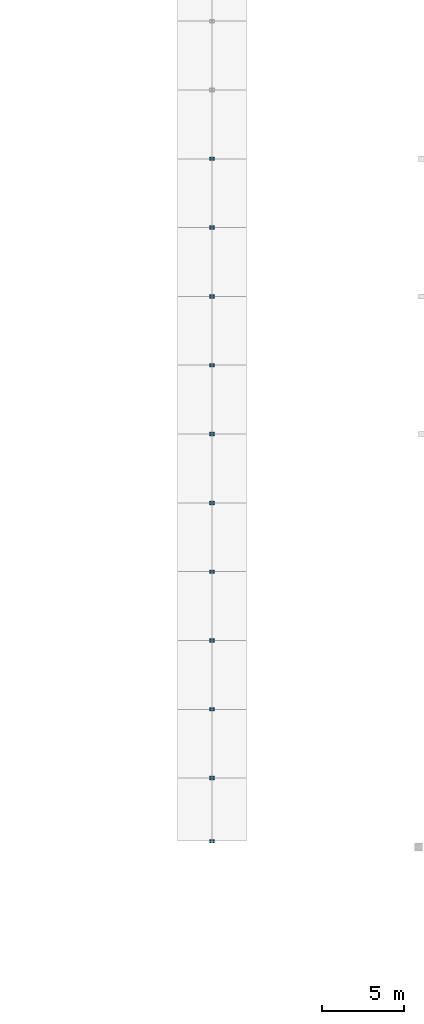
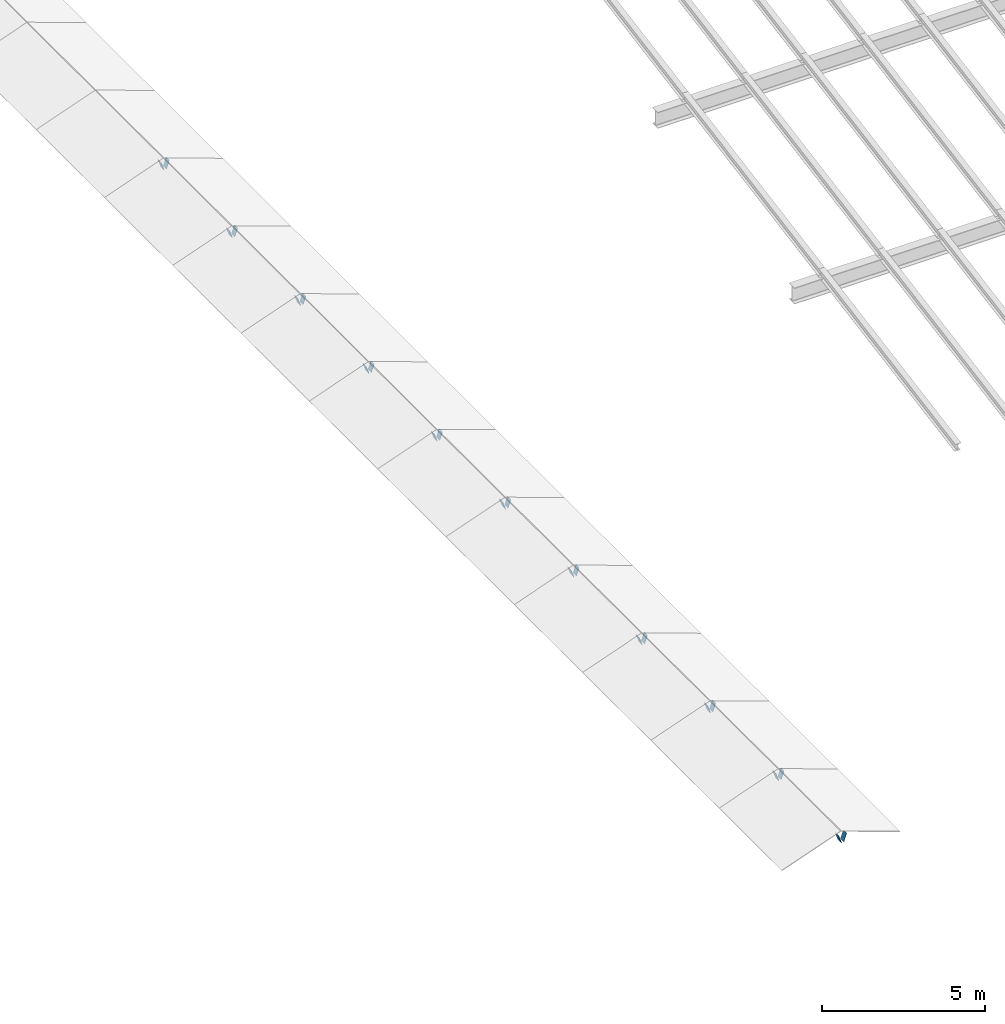
# One storey, part 33 of 38: 22 discrete accessories.
"""IFC4 building model written with IfcOpenShell, lengths in metres."""

from ifc_helpers import new_model, si_unit, direction, frame, origin, origin_2d, place, context, subcontext, project, spatial, rectangle, extrude, material, material_profile, profile_set, type_object, element, save


model = new_model("IFC4")

# Units and contexts
model_context = context("Model", 3, precision=1e-05, world=origin(), true_north=direction((0.0, 1.0)))
body_context = subcontext(model_context, "Body", "Model", "MODEL_VIEW")
ifc_project = project(units=[si_unit("LENGTHUNIT", "METRE"), si_unit("AREAUNIT", "SQUARE_METRE"), si_unit("VOLUMEUNIT", "CUBIC_METRE"), si_unit("PLANEANGLEUNIT", "RADIAN"), si_unit("MASSUNIT", "GRAM", prefix="KILO")], contexts=[model_context])

# Site, building, storey
site_placement = place(None, origin())
site = spatial("IfcSite", under=ifc_project, at=site_placement, CompositionType="ELEMENT")
building_placement = place(site_placement, origin())
building = spatial("IfcBuilding", under=site, at=building_placement, Name="Fescue Hill Polytechnic", CompositionType="ELEMENT")
storey_placement = place(building_placement, frame((0.0, 0.0, 18.0)))
storey = spatial("IfcBuildingStorey", under=building, at=storey_placement, Name="L04", CompositionType="ELEMENT", Elevation=18.0)

# Discrete accessories
ifc_material = material(Name="Steel 350W (350 MPa)", Category="steel")
ifc_material_profile = material_profile(ifc_material, rectangle(XDim=0.203125, YDim=0.3046875, at=origin_2d()), Name="Winter garden rafter end plate 12")
ifc_profile_set = profile_set([ifc_material_profile], Name="Steel 350W (350 MPa)")
discrete_accessory_type = type_object("IfcDiscreteAccessoryType", Name="Winter garden rafter end plate 12", PredefinedType="BRACKET", material=ifc_profile_set)
for number, where, z_axis, x_axis, name in (
    (1, (104.89990234375, 50.75, 0.543212890625), (0.94664990605, 0.0, 0.322263797804), (0.0, 1.0, 0.0), "Winter garden rafter W1 ridge end plate"),
    (2, (105.10009765625, 50.75, 0.543212890625), (-0.94664990605, 0.0, 0.322263797804), (0.0, -1.0, 0.0), "Winter garden rafter E1 ridge end plate"),
    (3, (104.89990234375, 54.60009765625, 0.543212890625), (0.94664990605, 0.0, 0.322263797804), (0.0, 1.0, 0.0), "Winter garden rafter W2 ridge end plate"),
    (4, (105.10009765625, 54.60009765625, 0.543212890625), (-0.94664990605, 0.0, 0.322263797804), (0.0, -1.0, 0.0), "Winter garden rafter E2 ridge end plate"),
    (5, (104.89990234375, 58.800048828125, 0.543212890625), (0.94664990605, 0.0, 0.322263797804), (0.0, 1.0, 0.0), "Winter garden rafter W3 ridge end plate"),
    (6, (105.10009765625, 58.800048828125, 0.543212890625), (-0.94664990605, 0.0, 0.322263797804), (0.0, -1.0, 0.0), "Winter garden rafter E3 ridge end plate"),
    (7, (104.89990234375, 63.0, 0.543212890625), (0.94664990605, 0.0, 0.322263797804), (0.0, 1.0, 0.0), "Winter garden rafter W4 ridge end plate"),
    (8, (105.10009765625, 63.0, 0.543212890625), (-0.94664990605, 0.0, 0.322263797804), (0.0, -1.0, 0.0), "Winter garden rafter E4 ridge end plate"),
    (9, (104.89990234375, 67.199951171875, 0.543212890625), (0.94664990605, 0.0, 0.322263797804), (0.0, 1.0, 0.0), "Winter garden rafter W5 ridge end plate"),
    (10, (105.10009765625, 67.199951171875, 0.543212890625), (-0.94664990605, 0.0, 0.322263797804), (0.0, -1.0, 0.0), "Winter garden rafter E5 ridge end plate"),
    (11, (104.89990234375, 71.39990234375, 0.543212890625), (0.94664990605, 0.0, 0.322263797804), (0.0, 1.0, 0.0), "Winter garden rafter W6 ridge end plate"),
    (12, (105.10009765625, 71.39990234375, 0.543212890625), (-0.94664990605, 0.0, 0.322263797804), (0.0, -1.0, 0.0), "Winter garden rafter E6 ridge end plate"),
    (13, (104.89990234375, 75.60009765625, 0.543212890625), (0.94664990605, 0.0, 0.322263797804), (0.0, 1.0, 0.0), "Winter garden rafter W7 ridge end plate"),
    (14, (105.10009765625, 75.60009765625, 0.543212890625), (-0.94664990605, 0.0, 0.322263797804), (0.0, -1.0, 0.0), "Winter garden rafter E7 ridge end plate"),
    (15, (104.89990234375, 79.800048828125, 0.543212890625), (0.94664990605, 0.0, 0.322263797804), (0.0, 1.0, 0.0), "Winter garden rafter W8 ridge end plate"),
    (16, (105.10009765625, 79.800048828125, 0.543212890625), (-0.94664990605, 0.0, 0.322263797804), (0.0, -1.0, 0.0), "Winter garden rafter E8 ridge end plate"),
    (17, (104.89990234375, 84.0, 0.543212890625), (0.94664990605, 0.0, 0.322263797804), (0.0, 1.0, 0.0), "Winter garden rafter W9 ridge end plate"),
    (18, (105.10009765625, 84.0, 0.543212890625), (-0.94664990605, 0.0, 0.322263797804), (0.0, -1.0, 0.0), "Winter garden rafter E9 ridge end plate"),
    (19, (104.89990234375, 88.199951171875, 0.543212890625), (0.94664990605, 0.0, 0.322263797804), (0.0, 1.0, 0.0), "Winter garden rafter W10 ridge end plate"),
    (20, (105.10009765625, 88.199951171875, 0.543212890625), (-0.94664990605, 0.0, 0.322263797804), (0.0, -1.0, 0.0), "Winter garden rafter E10 ridge end plate"),
    (21, (104.89990234375, 92.39990234375, 0.543212890625), (0.94664990605, 0.0, 0.322263797804), (0.0, 1.0, 0.0), "Winter garden rafter W11 ridge end plate"),
    (22, (105.10009765625, 92.39990234375, 0.543212890625), (-0.94664990605, 0.0, 0.322263797804), (0.0, -1.0, 0.0), "Winter garden rafter E11 ridge end plate"),
):
    element("IfcDiscreteAccessory", number, at=place(storey_placement, frame(where, z_axis=z_axis, x_axis=x_axis)), inside=storey, type_object=discrete_accessory_type, Name=name, PredefinedType="BRACKET", context=body_context, shape_type="SweptSolid", body=[
        extrude(rectangle(XDim=0.203125, YDim=0.3046875, at=origin_2d()), origin(), (0.0, 0.0, 1.0), 0.01220703125),
    ])

save(model, "model.ifc")
